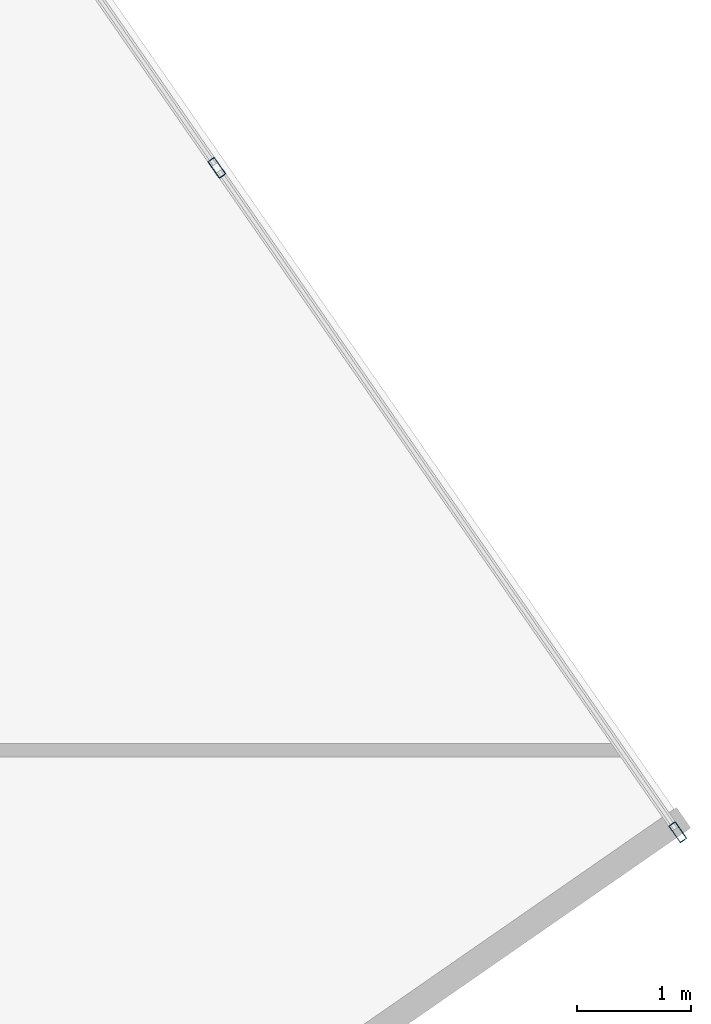
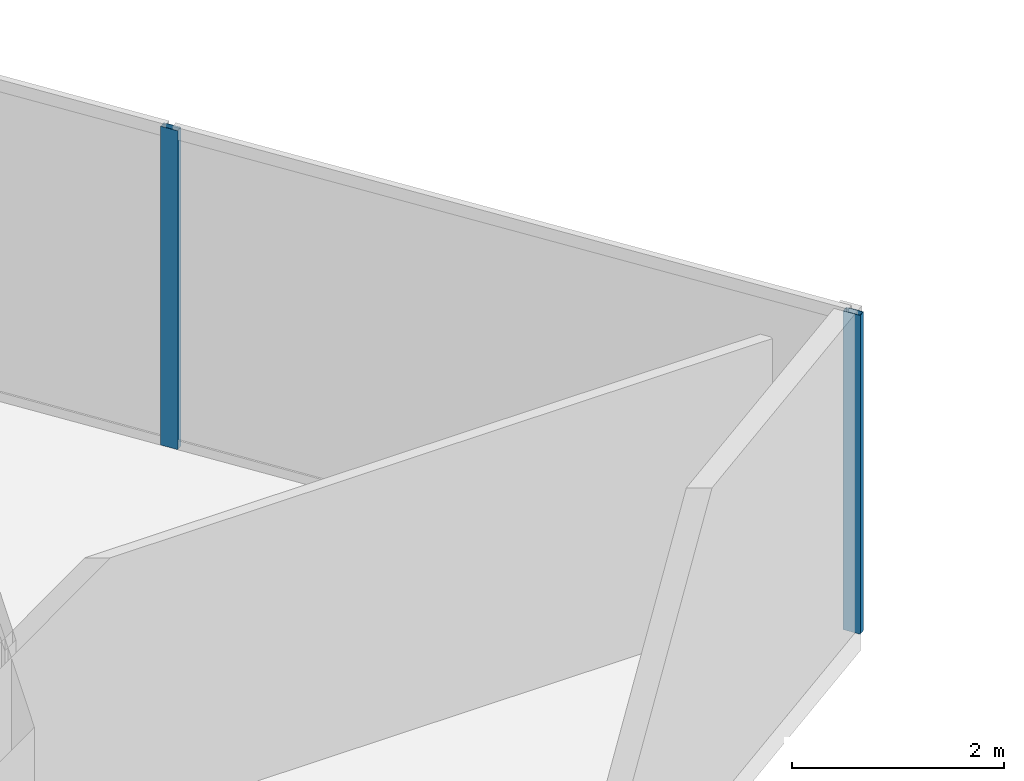
# One storey, part 11 of 21: 2 members, 1 element without a shape of its own.
"""IFC4 building model written with IfcOpenShell, lengths in metres."""

from ifc_helpers import new_model, si_unit, direction, frame, origin, origin_2d, place, context, subcontext, project, spatial, hollow_rectangle, extrude, source, transform, mapped, material, material_profile, profile_set, type_object, type_shapes, element, aggregate, save


model = new_model("IFC4")

# Units and contexts
model_context = context("Model", 3, precision=1e-05, world=origin(), true_north=direction((0.0, 1.0)))
body_context = subcontext(model_context, "Body", "Model", "MODEL_VIEW")
ifc_project = project(units=[si_unit("LENGTHUNIT", "METRE"), si_unit("AREAUNIT", "SQUARE_METRE"), si_unit("VOLUMEUNIT", "CUBIC_METRE"), si_unit("PLANEANGLEUNIT", "RADIAN"), si_unit("MASSUNIT", "GRAM", prefix="KILO")], contexts=[model_context])

# Site, building, storey
site_placement = place(None, origin())
site = spatial("IfcSite", under=ifc_project, at=site_placement, CompositionType="ELEMENT")
building_placement = place(site_placement, origin())
building = spatial("IfcBuilding", under=site, at=building_placement, Name="Krantzveldt Concourse Tower", CompositionType="ELEMENT")
storey_placement = place(building_placement, frame((0.0, 0.0, 279.25)))
storey = spatial("IfcBuildingStorey", under=building, at=storey_placement, Name="L68", CompositionType="ELEMENT", Elevation=279.25)

# Curtain wall, members
ifc_material = material(Name="Anodised aluminium 6063-T6", Category="aluminium")
curtain_wall_type = type_object("IfcCurtainWallType", Name="CW4", PredefinedType="USERDEFINED", material=ifc_material)
curtain_wall_placement = place(storey_placement, origin())
curtain_wall = element("IfcCurtainWall", 1, at=curtain_wall_placement, inside=storey, type_object=curtain_wall_type, Name="CW-L68-F14", ObjectType="UNITISED CURTAIN WALL", PredefinedType="USERDEFINED")
ifc_material_profile = material_profile(ifc_material, hollow_rectangle(XDim=0.070068359375, YDim=0.179931640625, WallThickness=0.0048828125, at=origin_2d()), Name="Anodised aluminium 6063-T6", Category="aluminium")
ifc_profile_set = profile_set([ifc_material_profile], Name="Anodised aluminium 6063-T6 - ALU-MULL 180x70x5")
member_type = type_object("IfcMemberType", Name="CW-MUL-180", PredefinedType="MULLION", material=ifc_profile_set)
shared_shape = source(origin(), body_context, "Body", "SweptSolid", [
    extrude(hollow_rectangle(XDim=0.070068359375, YDim=0.179931640625, WallThickness=0.0048828125, at=origin_2d()), origin(), (0.0, 0.0, 1.0), 3.669921875),
])
type_shapes(member_type, [shared_shape])
member_1_placement = place(storey_placement, frame((60.161376953125, 26.099853515625, 0.0), z_axis=(0.0, 0.0, 1.0), x_axis=(-0.821647031735, -0.569996627395, 0.0)))
member_1 = element("IfcMember", 2, at=member_1_placement, type_object=member_type, Name="CW-Z56 mullion 1", PredefinedType="MULLION", context=body_context, shape_type="MappedRepresentation", body=[
    mapped(shared_shape, transform((0.0, 0.0, 0.0), x_axis=(1.0, 0.0, 0.0), y_axis=(0.0, 1.0, 0.0), z_axis=(0.0, 0.0, 1.0), scale=1.0)),
])
member_2_placement = place(storey_placement, frame((56.105712890625, 31.94580078125, 0.0), z_axis=(0.0, 0.0, 1.0), x_axis=(-0.821647031735, -0.569996627395, 0.0)))
member_2 = element("IfcMember", 3, at=member_2_placement, type_object=member_type, Name="CW-Z56 mullion 2", PredefinedType="MULLION", context=body_context, shape_type="MappedRepresentation", body=[
    mapped(shared_shape, transform((0.0, 0.0, 0.0), x_axis=(1.0, 0.0, 0.0), y_axis=(0.0, 1.0, 0.0), z_axis=(0.0, 0.0, 1.0), scale=1.0)),
])
aggregate(curtain_wall, [member_1, member_2])

save(model, "model.ifc")
